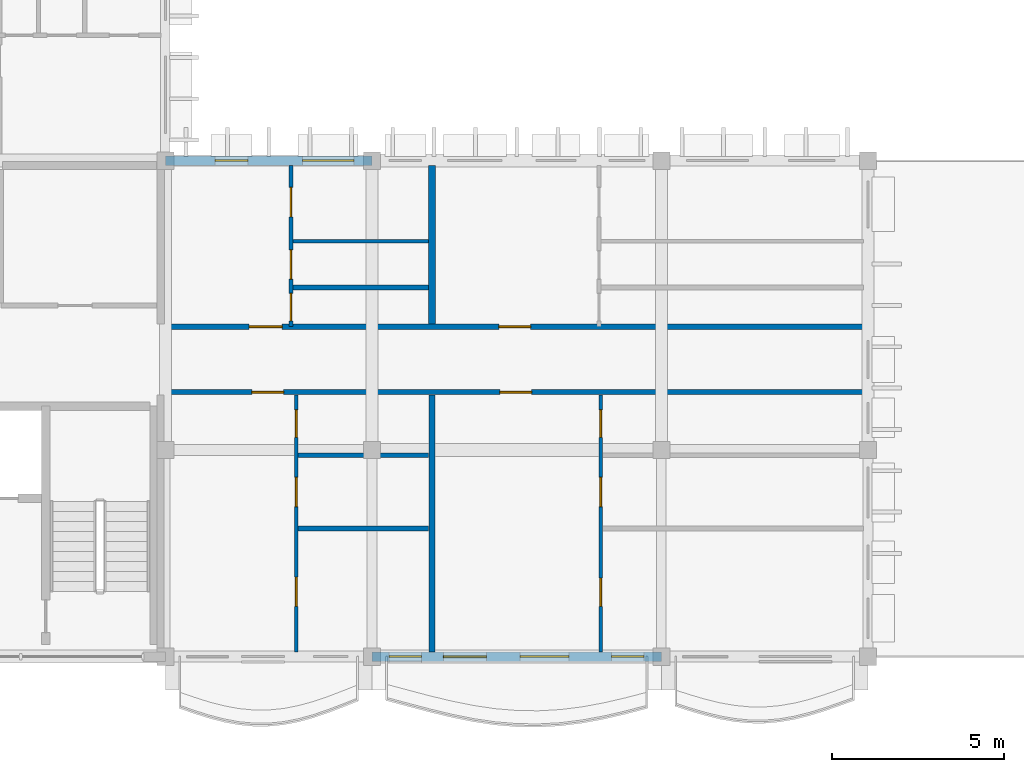
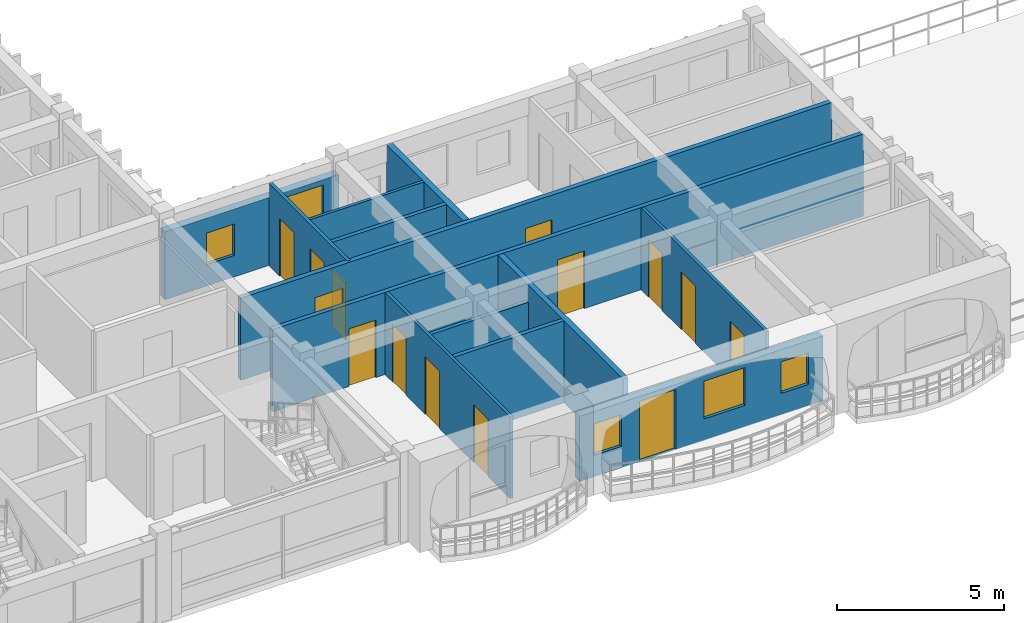
# One storey, part 13 of 59: 14 doors, 13 walls, 5 windows, 19 openings.
"""IFC4 building model written with IfcOpenShell, lengths in metres."""

from ifc_helpers import new_model, si_unit, direction, frame, frame_2d, origin, place, context, subcontext, project, spatial, rectangle, extrude, material, layer, layer_set, type_object, element, fill, save


model = new_model("IFC4")

# Units and contexts
model_context = context("Model", 3, precision=1e-05, world=origin(), true_north=direction((0.0, 1.0)))
body_context = subcontext(model_context, "Body", "Model", "MODEL_VIEW")
ifc_project = project(units=[si_unit("LENGTHUNIT", "METRE"), si_unit("AREAUNIT", "SQUARE_METRE"), si_unit("VOLUMEUNIT", "CUBIC_METRE"), si_unit("PLANEANGLEUNIT", "RADIAN"), si_unit("MASSUNIT", "GRAM", prefix="KILO"), si_unit("THERMODYNAMICTEMPERATUREUNIT", "KELVIN")], contexts=[model_context])

# Site, building, storey
site_placement = place(None, origin())
site = spatial("IfcSite", under=ifc_project, at=site_placement, CompositionType="ELEMENT")
building_placement = place(site_placement, origin())
building = spatial("IfcBuilding", under=site, at=building_placement, Name="Thalorik Housing Commons", CompositionType="ELEMENT")
storey_placement = place(building_placement, frame((0.0, 0.0, 27.89990234375)))
storey = spatial("IfcBuildingStorey", under=building, at=storey_placement, Name="L08", CompositionType="ELEMENT", Elevation=27.89990234375)

# Wall, openings, doors
ifc_material_1 = material(Name="Masonry fire-rated corridor wall", Category="masonry")
ifc_layer_1 = layer(ifc_material_1, 0.14990234375, Name="Masonry fire-rated corridor wall", Category="masonry")
ifc_layer_set_1 = layer_set([ifc_layer_1], Name="Masonry fire-rated corridor wall")
wall_type_1 = type_object("IfcWallType", Name="ARC-WAL-CORR-150", PredefinedType="PARTITIONING", material=ifc_layer_set_1)
wall_1_placement = place(storey_placement, frame((22.659912109375, 16.080078125, 0.0), z_axis=(0.0, 0.0, 1.0), x_axis=(1.0, 0.0, 0.0)))
wall_1 = element("IfcWall", 1, at=wall_1_placement, inside=storey, type_object=wall_type_1, Name="L08 Block C S Corridor Wall 1", PredefinedType="PARTITIONING", context=body_context, shape_type="SweptSolid", body=[
    extrude(rectangle(XDim=20.405517578125, YDim=0.14990234375, at=frame_2d((10.20263671875, 0.0))), origin(), (0.0, 0.0, 1.0), 3.0),
])
opening_1_placement = place(wall_1_placement, frame((2.652587890625, 0.0, 0.0)))
opening_1 = element("IfcOpeningElement", 2, at=opening_1_placement, cuts=wall_1, Name="Opening ID-1918", PredefinedType="OPENING", context=body_context, shape_type="SweptSolid", body=[
    extrude(rectangle(XDim=0.919921875, YDim=2.10009765625, at=frame_2d((0.4599609375, 1.050048828125))), frame((0.0, 0.0849609375, 0.0), z_axis=(0.0, -1.0, 0.0), x_axis=(1.0, 0.0, 0.0)), (0.0, 0.0, 1.0), 0.169921875),
])
opening_2_placement = place(wall_1_placement, frame((9.85009765625, 0.0, 0.0)))
opening_2 = element("IfcOpeningElement", 3, at=opening_2_placement, cuts=wall_1, Name="Opening ID-1919", PredefinedType="OPENING", context=body_context, shape_type="SweptSolid", body=[
    extrude(rectangle(XDim=0.919921875, YDim=2.10009765625, at=frame_2d((0.4599609375, 1.050048828125))), frame((0.0, 0.0849609375, 0.0), z_axis=(0.0, -1.0, 0.0), x_axis=(1.0, 0.0, 0.0)), (0.0, 0.0, 1.0), 0.169921875),
])
ifc_material_2 = material(Name="Solid core hardwood timber", Category="wood")
door_type_1 = type_object("IfcDoorType", Name="ARC-DR-FD30-920", OperationType="NOTDEFINED", PredefinedType="DOOR", material=ifc_material_2)
door_1_placement = place(opening_1_placement, origin())
door_1 = element("IfcDoor", 4, at=door_1_placement, inside=storey, type_object=door_type_1, Name="L08 Flat CS-1A Entrance Door", OperationType="SINGLE_SWING_LEFT", OverallHeight=2.10009765625, OverallWidth=0.919921875, PredefinedType="DOOR", context=body_context, shape_type="SweptSolid", body=[
    extrude(rectangle(XDim=0.919921875, YDim=2.10009765625, at=frame_2d((0.4599609375, 1.050048828125))), frame((0.0, 0.02490234375, 0.0), z_axis=(0.0, -1.0, 0.0), x_axis=(1.0, 0.0, 0.0)), (0.0, 0.0, 1.0), 0.050048828125),
])
fill(opening_1, door_1)
door_2_placement = place(opening_2_placement, origin())
door_2 = element("IfcDoor", 5, at=door_2_placement, inside=storey, type_object=door_type_1, Name="L08 Flat CS-2A Entrance Door", OperationType="SINGLE_SWING_RIGHT", OverallHeight=2.10009765625, OverallWidth=0.919921875, PredefinedType="DOOR", context=body_context, shape_type="SweptSolid", body=[
    extrude(rectangle(XDim=0.919921875, YDim=2.10009765625, at=frame_2d((0.4599609375, 1.050048828125))), frame((0.0, 0.02490234375, 0.0), z_axis=(0.0, -1.0, 0.0), x_axis=(1.0, 0.0, 0.0)), (0.0, 0.0, 1.0), 0.050048828125),
])
fill(opening_2, door_2)

ifc_layer_2 = layer(ifc_material_1, 0.1650390625, Name="Masonry fire-rated corridor wall", Category="masonry")
ifc_layer_set_2 = layer_set([ifc_layer_2], Name="Masonry fire-rated corridor wall")
wall_type_2 = type_object("IfcWallType", Name="ARC-WAL-CORR-165", PredefinedType="PARTITIONING", material=ifc_layer_set_2)
wall_2_placement = place(storey_placement, frame((22.659912109375, 17.97998046875, 0.0), z_axis=(0.0, 0.0, 1.0), x_axis=(1.0, 0.0, 0.0)))
wall_2 = element("IfcWall", 6, at=wall_2_placement, inside=storey, type_object=wall_type_2, Name="L08 Block C S Corridor Wall 2", PredefinedType="PARTITIONING", context=body_context, shape_type="SweptSolid", body=[
    extrude(rectangle(XDim=20.405517578125, YDim=0.1650390625, at=frame_2d((10.20263671875, 0.0))), origin(), (0.0, 0.0, 1.0), 3.0),
])
opening_3_placement = place(wall_2_placement, frame((2.572509765625, 0.0, 0.0)))
opening_3 = element("IfcOpeningElement", 7, at=opening_3_placement, cuts=wall_2, Name="Opening ID-1920", PredefinedType="OPENING", context=body_context, shape_type="SweptSolid", body=[
    extrude(rectangle(XDim=0.9599609375, YDim=2.1201171875, at=frame_2d((0.47998046875, 1.06005859375))), frame((0.0, 0.092529296875, 0.0), z_axis=(0.0, -1.0, 0.0), x_axis=(1.0, 0.0, 0.0)), (0.0, 0.0, 1.0), 0.18505859375),
])
opening_4_placement = place(wall_2_placement, frame((9.823974609375, 0.0, 0.0)))
opening_4 = element("IfcOpeningElement", 8, at=opening_4_placement, cuts=wall_2, Name="Opening ID-1921", PredefinedType="OPENING", context=body_context, shape_type="SweptSolid", body=[
    extrude(rectangle(XDim=0.919921875, YDim=2.10009765625, at=frame_2d((0.4599609375, 1.050048828125))), frame((0.0, 0.092529296875, 0.0), z_axis=(0.0, -1.0, 0.0), x_axis=(1.0, 0.0, 0.0)), (0.0, 0.0, 1.0), 0.18505859375),
])
door_3_placement = place(opening_4_placement, origin())
door_3 = element("IfcDoor", 9, at=door_3_placement, inside=storey, type_object=door_type_1, Name="L08 Flat CS-2B Entrance Door", OperationType="SINGLE_SWING_RIGHT", OverallHeight=2.10009765625, OverallWidth=0.919921875, PredefinedType="DOOR", context=body_context, shape_type="SweptSolid", body=[
    extrude(rectangle(XDim=0.919921875, YDim=2.10009765625, at=frame_2d((0.4599609375, 1.050048828125))), frame((0.0, 0.02490234375, 0.0), z_axis=(0.0, -1.0, 0.0), x_axis=(1.0, 0.0, 0.0)), (0.0, 0.0, 1.0), 0.050048828125),
])
fill(opening_4, door_3)
door_type_2 = type_object("IfcDoorType", Name="ARC-DR-FD30-960", OperationType="NOTDEFINED", PredefinedType="DOOR", material=ifc_material_2)
door_4_placement = place(opening_3_placement, origin())
door_4 = element("IfcDoor", 10, at=door_4_placement, inside=storey, type_object=door_type_2, Name="L08 Flat CS-1B Entrance Door", OperationType="SINGLE_SWING_LEFT", OverallHeight=2.1201171875, OverallWidth=0.9599609375, PredefinedType="DOOR", context=body_context, shape_type="SweptSolid", body=[
    extrude(rectangle(XDim=0.9599609375, YDim=2.1201171875, at=frame_2d((0.47998046875, 1.06005859375))), frame((0.0, 0.02490234375, 0.0), z_axis=(0.0, -1.0, 0.0), x_axis=(1.0, 0.0, 0.0)), (0.0, 0.0, 1.0), 0.050048828125),
])
fill(opening_3, door_4)

# Wall, openings, door, windows
ifc_material_3 = material(Name="White precast concrete C40/50", Category="concrete")
ifc_layer_3 = layer(ifc_material_3, 0.264892578125, Name="White precast concrete C40/50", Category="concrete")
ifc_layer_set_3 = layer_set([ifc_layer_3], Name="White precast concrete C40/50")
wall_type_3 = type_object("IfcWallType", Name="ARC-WAL-EXT-265", PredefinedType="STANDARD", material=ifc_layer_set_3)
wall_3_placement = place(storey_placement, frame((28.800048828125, 8.39990234375, 0.0), z_axis=(0.0, 0.0, 1.0), x_axis=(1.0, 0.0, 0.0)))
wall_3 = element("IfcWall", 11, at=wall_3_placement, inside=storey, type_object=wall_type_3, Name="L08 Exterior Wall WAL-EXT-L08-C-1058", PredefinedType="STANDARD", context=body_context, shape_type="SweptSolid", body=[
    extrude(rectangle(XDim=8.39990234375, YDim=0.264892578125, at=frame_2d((4.199951171875, 0.0))), origin(), (0.0, 0.0, 1.0), 2.375),
])
opening_5_placement = place(wall_3_placement, frame((2.070068359375, 0.0, 0.0)))
opening_5 = element("IfcOpeningElement", 12, at=opening_5_placement, cuts=wall_3, Name="Opening ED-0354", PredefinedType="OPENING", context=body_context, shape_type="SweptSolid", body=[
    extrude(rectangle(XDim=1.25, YDim=2.199951171875, at=frame_2d((0.625, 1.10009765625))), frame((0.0, 0.142578125, 0.0), z_axis=(0.0, -1.0, 0.0), x_axis=(1.0, 0.0, 0.0)), (0.0, 0.0, 1.0), 0.284912109375),
])
opening_6_placement = place(wall_3_placement, frame((0.489990234375, 0.0, 0.780029296875)))
opening_6 = element("IfcOpeningElement", 13, at=opening_6_placement, cuts=wall_3, Name="Opening W-43", PredefinedType="OPENING", context=body_context, shape_type="SweptSolid", body=[
    extrude(rectangle(XDim=0.949951171875, YDim=1.14990234375, at=frame_2d((0.47509765625, 0.574951171875))), frame((0.0, 0.142578125, 0.0), z_axis=(0.0, -1.0, 0.0), x_axis=(1.0, 0.0, 0.0)), (0.0, 0.0, 1.0), 0.284912109375),
])
opening_7_placement = place(wall_3_placement, frame((4.294921875, 0.0, 0.780029296875)))
opening_7 = element("IfcOpeningElement", 14, at=opening_7_placement, cuts=wall_3, Name="Opening W-50", PredefinedType="OPENING", context=body_context, shape_type="SweptSolid", body=[
    extrude(rectangle(XDim=1.419921875, YDim=1.3798828125, at=frame_2d((0.7099609375, 0.68994140625))), frame((0.0, 0.142578125, 0.0), z_axis=(0.0, -1.0, 0.0), x_axis=(1.0, 0.0, 0.0)), (0.0, 0.0, 1.0), 0.284912109375),
])
opening_8_placement = place(wall_3_placement, frame((6.949951171875, 0.0, 0.780029296875)))
opening_8 = element("IfcOpeningElement", 15, at=opening_8_placement, cuts=wall_3, Name="Opening W-43", PredefinedType="OPENING", context=body_context, shape_type="SweptSolid", body=[
    extrude(rectangle(XDim=0.949951171875, YDim=1.14990234375, at=frame_2d((0.47509765625, 0.574951171875))), frame((0.0, 0.142578125, 0.0), z_axis=(0.0, -1.0, 0.0), x_axis=(1.0, 0.0, 0.0)), (0.0, 0.0, 1.0), 0.284912109375),
])
ifc_material_4 = material(Name="Anodised aluminium and laminated safety glass", Category="aluminium")
door_type_3 = type_object("IfcDoorType", Name="ARC-DR-BAL-1250", OperationType="NOTDEFINED", PredefinedType="DOOR", material=ifc_material_4)
door_5_placement = place(opening_5_placement, frame((1.25, 0.0, 0.0), z_axis=(0.0, 0.0, 1.0), x_axis=(-1.0, 0.0, 0.0)))
door_5 = element("IfcDoor", 16, at=door_5_placement, inside=storey, type_object=door_type_3, Name="L08 Block C Balcony Glazed Door", OperationType="SINGLE_SWING_LEFT", OverallHeight=2.199951171875, OverallWidth=1.25, PredefinedType="DOOR", context=body_context, shape_type="SweptSolid", body=[
    extrude(rectangle(XDim=1.25, YDim=2.199951171875, at=frame_2d((0.625, 1.10009765625))), frame((0.0, 0.02490234375, 0.0), z_axis=(0.0, -1.0, 0.0), x_axis=(1.0, 0.0, 0.0)), (0.0, 0.0, 1.0), 0.050048828125),
])
fill(opening_5, door_5)
ifc_material_5 = material(Name="Anodised aluminium and solar-control low-E glass", Category="aluminium")
window_type_1 = type_object("IfcWindowType", Name="ARC-WIN-43", PartitioningType="SINGLE_PANEL", PredefinedType="WINDOW", material=ifc_material_5)
window_1_placement = place(opening_6_placement, origin())
window_1 = element("IfcWindow", 17, at=window_1_placement, inside=storey, type_object=window_type_1, Name="L08 Facade Window 1952", OverallHeight=1.14990234375, OverallWidth=0.949951171875, PartitioningType="SINGLE_PANEL", PredefinedType="WINDOW", context=body_context, shape_type="SweptSolid", body=[
    extrude(rectangle(XDim=0.949951171875, YDim=1.14990234375, at=frame_2d((0.47509765625, 0.574951171875))), frame((0.0, 0.030029296875, 0.0), z_axis=(0.0, -1.0, 0.0), x_axis=(1.0, 0.0, 0.0)), (0.0, 0.0, 1.0), 0.06005859375),
])
fill(opening_6, window_1)
window_2_placement = place(opening_8_placement, origin())
window_2 = element("IfcWindow", 18, at=window_2_placement, inside=storey, type_object=window_type_1, Name="L08 Facade Window 1954", OverallHeight=1.14990234375, OverallWidth=0.949951171875, PartitioningType="SINGLE_PANEL", PredefinedType="WINDOW", context=body_context, shape_type="SweptSolid", body=[
    extrude(rectangle(XDim=0.949951171875, YDim=1.14990234375, at=frame_2d((0.47509765625, 0.574951171875))), frame((0.0, 0.030029296875, 0.0), z_axis=(0.0, -1.0, 0.0), x_axis=(1.0, 0.0, 0.0)), (0.0, 0.0, 1.0), 0.06005859375),
])
fill(opening_8, window_2)
window_type_2 = type_object("IfcWindowType", Name="ARC-WIN-50", PartitioningType="SINGLE_PANEL", PredefinedType="WINDOW", material=ifc_material_5)
window_3_placement = place(opening_7_placement, origin())
window_3 = element("IfcWindow", 19, at=window_3_placement, inside=storey, type_object=window_type_2, Name="L08 Facade Window 1953", OverallHeight=1.3798828125, OverallWidth=1.419921875, PartitioningType="SINGLE_PANEL", PredefinedType="WINDOW", context=body_context, shape_type="SweptSolid", body=[
    extrude(rectangle(XDim=1.419921875, YDim=1.3798828125, at=frame_2d((0.7099609375, 0.68994140625))), frame((0.0, 0.030029296875, 0.0), z_axis=(0.0, -1.0, 0.0), x_axis=(1.0, 0.0, 0.0)), (0.0, 0.0, 1.0), 0.06005859375),
])
fill(opening_7, window_3)

# Wall, openings, windows
wall_4_placement = place(storey_placement, frame((28.800048828125, 22.800048828125, 0.0), z_axis=(0.0, 0.0, 1.0), x_axis=(-1.0, 0.0, 0.0)))
wall_4 = element("IfcWall", 20, at=wall_4_placement, inside=storey, type_object=wall_type_3, Name="L08 Exterior Wall WAL-EXT-L08-C-1064", PredefinedType="STANDARD", context=body_context, shape_type="SweptSolid", body=[
    extrude(rectangle(XDim=6.0, YDim=0.264892578125, at=frame_2d((3.0, 0.0))), origin(), (0.0, 0.0, 1.0), 2.47509765625),
])
opening_9_placement = place(wall_4_placement, frame((0.523681640625, 0.0, 0.780029296875)))
opening_9 = element("IfcOpeningElement", 21, at=opening_9_placement, cuts=wall_4, Name="Opening W-10", PredefinedType="OPENING", context=body_context, shape_type="SweptSolid", body=[
    extrude(rectangle(XDim=1.5, YDim=1.5, at=frame_2d((0.75, 0.75))), frame((0.0, 0.142578125, 0.0), z_axis=(0.0, -1.0, 0.0), x_axis=(1.0, 0.0, 0.0)), (0.0, 0.0, 1.0), 0.284912109375),
])
opening_10_placement = place(wall_4_placement, frame((3.60888671875, 0.0, 0.780029296875)))
opening_10 = element("IfcOpeningElement", 22, at=opening_10_placement, cuts=wall_4, Name="Opening W-43", PredefinedType="OPENING", context=body_context, shape_type="SweptSolid", body=[
    extrude(rectangle(XDim=0.949951171875, YDim=1.14990234375, at=frame_2d((0.47509765625, 0.574951171875))), frame((0.0, 0.142578125, 0.0), z_axis=(0.0, -1.0, 0.0), x_axis=(1.0, 0.0, 0.0)), (0.0, 0.0, 1.0), 0.284912109375),
])
window_type_3 = type_object("IfcWindowType", Name="ARC-WIN-10", PartitioningType="SINGLE_PANEL", PredefinedType="WINDOW", material=ifc_material_5)
window_4_placement = place(opening_9_placement, origin())
window_4 = element("IfcWindow", 23, at=window_4_placement, inside=storey, type_object=window_type_3, Name="L08 Facade Window 1966", OverallHeight=1.5, OverallWidth=1.5, PartitioningType="SINGLE_PANEL", PredefinedType="WINDOW", context=body_context, shape_type="SweptSolid", body=[
    extrude(rectangle(XDim=1.5, YDim=1.5, at=frame_2d((0.75, 0.75))), frame((0.0, 0.030029296875, 0.0), z_axis=(0.0, -1.0, 0.0), x_axis=(1.0, 0.0, 0.0)), (0.0, 0.0, 1.0), 0.06005859375),
])
fill(opening_9, window_4)
window_5_placement = place(opening_10_placement, origin())
window_5 = element("IfcWindow", 24, at=window_5_placement, inside=storey, type_object=window_type_1, Name="L08 Facade Window 1967", OverallHeight=1.14990234375, OverallWidth=0.949951171875, PartitioningType="SINGLE_PANEL", PredefinedType="WINDOW", context=body_context, shape_type="SweptSolid", body=[
    extrude(rectangle(XDim=0.949951171875, YDim=1.14990234375, at=frame_2d((0.47509765625, 0.574951171875))), frame((0.0, 0.030029296875, 0.0), z_axis=(0.0, -1.0, 0.0), x_axis=(1.0, 0.0, 0.0)), (0.0, 0.0, 1.0), 0.06005859375),
])
fill(opening_10, window_5)

# Wall, openings, doors
ifc_material_6 = material(Name="Gypsum light stud partition", Category="masonry")
ifc_layer_4 = layer(ifc_material_6, 0.10009765625, Name="Gypsum light stud partition", Category="masonry")
ifc_layer_set_4 = layer_set([ifc_layer_4], Name="Gypsum light stud partition")
wall_type_4 = type_object("IfcWallType", Name="ARC-WAL-PART-100", PredefinedType="PARTITIONING", material=ifc_layer_set_4)
wall_5_placement = place(storey_placement, frame((26.60009765625, 8.534423828125, 0.0), z_axis=(0.0, 0.0, 1.0), x_axis=(0.0, 1.0, 0.0)))
wall_5 = element("IfcWall", 25, at=wall_5_placement, inside=storey, type_object=wall_type_4, Name="L08 Unit 1 Spine Partition", PredefinedType="PARTITIONING", context=body_context, shape_type="SweptSolid", body=[
    extrude(rectangle(XDim=7.468505859375, YDim=0.10009765625, at=frame_2d((3.734375, 0.0))), origin(), (0.0, 0.0, 1.0), 3.0),
])
opening_11_placement = place(wall_5_placement, frame((1.329345703125, 0.0, 0.0)))
opening_11 = element("IfcOpeningElement", 26, at=opening_11_placement, cuts=wall_5, Name="Opening ID-1906", PredefinedType="OPENING", context=body_context, shape_type="SweptSolid", body=[
    extrude(rectangle(XDim=0.85009765625, YDim=2.10009765625, at=frame_2d((0.425048828125, 1.050048828125))), frame((0.0, 0.06005859375, 0.0), z_axis=(0.0, -1.0, 0.0), x_axis=(1.0, 0.0, 0.0)), (0.0, 0.0, 1.0), 0.1201171875),
])
opening_12_placement = place(wall_5_placement, frame((4.224853515625, 0.0, 0.0)))
opening_12 = element("IfcOpeningElement", 27, at=opening_12_placement, cuts=wall_5, Name="Opening ID-1907", PredefinedType="OPENING", context=body_context, shape_type="SweptSolid", body=[
    extrude(rectangle(XDim=0.85009765625, YDim=2.10009765625, at=frame_2d((0.425048828125, 1.050048828125))), frame((0.0, 0.06005859375, 0.0), z_axis=(0.0, -1.0, 0.0), x_axis=(1.0, 0.0, 0.0)), (0.0, 0.0, 1.0), 0.1201171875),
])
opening_13_placement = place(wall_5_placement, frame((6.231201171875, 0.0, 0.0)))
opening_13 = element("IfcOpeningElement", 28, at=opening_13_placement, cuts=wall_5, Name="Opening ID-1908", PredefinedType="OPENING", context=body_context, shape_type="SweptSolid", body=[
    extrude(rectangle(XDim=0.800048828125, YDim=2.10009765625, at=frame_2d((0.39990234375, 1.050048828125))), frame((0.0, 0.06005859375, 0.0), z_axis=(0.0, -1.0, 0.0), x_axis=(1.0, 0.0, 0.0)), (0.0, 0.0, 1.0), 0.1201171875),
])
ifc_material_7 = material(Name="Moisture-resistant timber", Category="wood")
door_type_4 = type_object("IfcDoorType", Name="ARC-DR-INT-800", OperationType="NOTDEFINED", PredefinedType="DOOR", material=ifc_material_7)
door_6_placement = place(opening_13_placement, origin())
door_6 = element("IfcDoor", 29, at=door_6_placement, inside=storey, type_object=door_type_4, Name="L08 Flat Bathroom Door", OperationType="SINGLE_SWING_LEFT", OverallHeight=2.10009765625, OverallWidth=0.800048828125, PredefinedType="DOOR", context=body_context, shape_type="SweptSolid", body=[
    extrude(rectangle(XDim=0.800048828125, YDim=2.10009765625, at=frame_2d((0.39990234375, 1.050048828125))), frame((0.0, 0.02490234375, 0.0), z_axis=(0.0, -1.0, 0.0), x_axis=(1.0, 0.0, 0.0)), (0.0, 0.0, 1.0), 0.050048828125),
])
fill(opening_13, door_6)
ifc_material_8 = material(Name="Engineered oak timber", Category="wood")
door_type_5 = type_object("IfcDoorType", Name="ARC-DR-INT-850", OperationType="NOTDEFINED", PredefinedType="DOOR", material=ifc_material_8)
door_7_placement = place(opening_11_placement, origin())
door_7 = element("IfcDoor", 30, at=door_7_placement, inside=storey, type_object=door_type_5, Name="L08 Double Bedroom Door", OperationType="SINGLE_SWING_LEFT", OverallHeight=2.10009765625, OverallWidth=0.85009765625, PredefinedType="DOOR", context=body_context, shape_type="SweptSolid", body=[
    extrude(rectangle(XDim=0.85009765625, YDim=2.10009765625, at=frame_2d((0.425048828125, 1.050048828125))), frame((0.0, 0.02490234375, 0.0), z_axis=(0.0, -1.0, 0.0), x_axis=(1.0, 0.0, 0.0)), (0.0, 0.0, 1.0), 0.050048828125),
])
fill(opening_11, door_7)
door_8_placement = place(opening_12_placement, origin())
door_8 = element("IfcDoor", 31, at=door_8_placement, inside=storey, type_object=door_type_5, Name="L08 Galley Kitchen Door", OperationType="SINGLE_SWING_RIGHT", OverallHeight=2.10009765625, OverallWidth=0.85009765625, PredefinedType="DOOR", context=body_context, shape_type="SweptSolid", body=[
    extrude(rectangle(XDim=0.85009765625, YDim=2.10009765625, at=frame_2d((0.425048828125, 1.050048828125))), frame((0.0, 0.02490234375, 0.0), z_axis=(0.0, -1.0, 0.0), x_axis=(1.0, 0.0, 0.0)), (0.0, 0.0, 1.0), 0.050048828125),
])
fill(opening_12, door_8)

# Wall
wall_6_placement = place(storey_placement, frame((26.501953125, 20.455078125, 0.0), z_axis=(0.0, 0.0, 1.0), x_axis=(1.0, 0.0, 0.0)))
element("IfcWall", 32, at=wall_6_placement, inside=storey, type_object=wall_type_4, Name="L08 Unit 1B Bedroom Partition", PredefinedType="PARTITIONING", context=body_context, shape_type="SweptSolid", body=[
    extrude(rectangle(XDim=3.93603515625, YDim=0.10009765625, at=frame_2d((1.968017578125, 0.0))), origin(), (0.0, 0.0, 1.0), 3.0),
])

# Wall, openings, doors
wall_7_placement = place(storey_placement, frame((35.43994140625, 8.534423828125, 0.0), z_axis=(0.0, 0.0, 1.0), x_axis=(0.0, 1.0, 0.0)))
wall_7 = element("IfcWall", 33, at=wall_7_placement, inside=storey, type_object=wall_type_4, Name="L08 Unit 2 Spine Partition", PredefinedType="PARTITIONING", context=body_context, shape_type="SweptSolid", body=[
    extrude(rectangle(XDim=7.468505859375, YDim=0.10009765625, at=frame_2d((3.734375, 0.0))), origin(), (0.0, 0.0, 1.0), 3.0),
])
opening_14_placement = place(wall_7_placement, frame((1.329345703125, 0.0, 0.0)))
opening_14 = element("IfcOpeningElement", 34, at=opening_14_placement, cuts=wall_7, Name="Opening ID-1912", PredefinedType="OPENING", context=body_context, shape_type="SweptSolid", body=[
    extrude(rectangle(XDim=0.820068359375, YDim=2.080078125, at=frame_2d((0.41015625, 1.0400390625))), frame((0.0, 0.06005859375, 0.0), z_axis=(0.0, -1.0, 0.0), x_axis=(1.0, 0.0, 0.0)), (0.0, 0.0, 1.0), 0.1201171875),
])
opening_15_placement = place(wall_7_placement, frame((4.224853515625, 0.0, 0.0)))
opening_15 = element("IfcOpeningElement", 35, at=opening_15_placement, cuts=wall_7, Name="Opening ID-1913", PredefinedType="OPENING", context=body_context, shape_type="SweptSolid", body=[
    extrude(rectangle(XDim=0.85009765625, YDim=2.10009765625, at=frame_2d((0.425048828125, 1.050048828125))), frame((0.0, 0.06005859375, 0.0), z_axis=(0.0, -1.0, 0.0), x_axis=(1.0, 0.0, 0.0)), (0.0, 0.0, 1.0), 0.1201171875),
])
opening_16_placement = place(wall_7_placement, frame((6.231201171875, 0.0, 0.0)))
opening_16 = element("IfcOpeningElement", 36, at=opening_16_placement, cuts=wall_7, Name="Opening ID-1914", PredefinedType="OPENING", context=body_context, shape_type="SweptSolid", body=[
    extrude(rectangle(XDim=0.800048828125, YDim=2.10009765625, at=frame_2d((0.39990234375, 1.050048828125))), frame((0.0, 0.06005859375, 0.0), z_axis=(0.0, -1.0, 0.0), x_axis=(1.0, 0.0, 0.0)), (0.0, 0.0, 1.0), 0.1201171875),
])
door_9_placement = place(opening_16_placement, origin())
door_9 = element("IfcDoor", 37, at=door_9_placement, inside=storey, type_object=door_type_4, Name="L08 Accessible Bathroom Door", OperationType="SINGLE_SWING_LEFT", OverallHeight=2.10009765625, OverallWidth=0.800048828125, PredefinedType="DOOR", context=body_context, shape_type="SweptSolid", body=[
    extrude(rectangle(XDim=0.800048828125, YDim=2.10009765625, at=frame_2d((0.39990234375, 1.050048828125))), frame((0.0, 0.02490234375, 0.0), z_axis=(0.0, -1.0, 0.0), x_axis=(1.0, 0.0, 0.0)), (0.0, 0.0, 1.0), 0.050048828125),
])
fill(opening_16, door_9)
door_type_6 = type_object("IfcDoorType", Name="ARC-DR-INT-820", OperationType="NOTDEFINED", PredefinedType="DOOR", material=ifc_material_8)
door_10_placement = place(opening_14_placement, origin())
door_10 = element("IfcDoor", 38, at=door_10_placement, inside=storey, type_object=door_type_6, Name="L08 Double Bedroom Door", OperationType="SINGLE_SWING_LEFT", OverallHeight=2.080078125, OverallWidth=0.820068359375, PredefinedType="DOOR", context=body_context, shape_type="SweptSolid", body=[
    extrude(rectangle(XDim=0.820068359375, YDim=2.080078125, at=frame_2d((0.41015625, 1.0400390625))), frame((0.0, 0.02490234375, 0.0), z_axis=(0.0, -1.0, 0.0), x_axis=(1.0, 0.0, 0.0)), (0.0, 0.0, 1.0), 0.050048828125),
])
fill(opening_14, door_10)
door_11_placement = place(opening_15_placement, origin())
door_11 = element("IfcDoor", 39, at=door_11_placement, inside=storey, type_object=door_type_5, Name="L08 Galley Kitchen Door", OperationType="SINGLE_SWING_RIGHT", OverallHeight=2.10009765625, OverallWidth=0.85009765625, PredefinedType="DOOR", context=body_context, shape_type="SweptSolid", body=[
    extrude(rectangle(XDim=0.85009765625, YDim=2.10009765625, at=frame_2d((0.425048828125, 1.050048828125))), frame((0.0, 0.02490234375, 0.0), z_axis=(0.0, -1.0, 0.0), x_axis=(1.0, 0.0, 0.0)), (0.0, 0.0, 1.0), 0.050048828125),
])
fill(opening_15, door_11)

ifc_material_9 = material(Name="Gypsum moisture-resistant partition", Category="masonry")
ifc_layer_5 = layer(ifc_material_9, 0.114990234375, Name="Gypsum moisture-resistant partition", Category="masonry")
ifc_layer_set_5 = layer_set([ifc_layer_5], Name="Gypsum moisture-resistant partition")
wall_type_5 = type_object("IfcWallType", Name="ARC-WAL-PART-115", PredefinedType="PARTITIONING", material=ifc_layer_set_5)
wall_8_placement = place(storey_placement, frame((26.4423828125, 17.97998046875, 0.0), z_axis=(0.0, 0.0, 1.0), x_axis=(0.0, 1.0, 0.0)))
wall_8 = element("IfcWall", 40, at=wall_8_placement, inside=storey, type_object=wall_type_5, Name="L08 Unit 1B Spine Partition", PredefinedType="PARTITIONING", context=body_context, shape_type="SweptSolid", body=[
    extrude(rectangle(XDim=4.685546875, YDim=0.114990234375, at=frame_2d((2.3427734375, 0.0))), origin(), (0.0, 0.0, 1.0), 3.0),
])
opening_17_placement = place(wall_8_placement, frame((0.171142578125, 0.0, 0.0)))
opening_17 = element("IfcOpeningElement", 41, at=opening_17_placement, cuts=wall_8, Name="Opening ID-1909", PredefinedType="OPENING", context=body_context, shape_type="SweptSolid", body=[
    extrude(rectangle(XDim=0.800048828125, YDim=2.10009765625, at=frame_2d((0.39990234375, 1.050048828125))), frame((0.0, 0.0673828125, 0.0), z_axis=(0.0, -1.0, 0.0), x_axis=(1.0, 0.0, 0.0)), (0.0, 0.0, 1.0), 0.135009765625),
])
opening_18_placement = place(wall_8_placement, frame((1.3837890625, 0.0, 0.0)))
opening_18 = element("IfcOpeningElement", 42, at=opening_18_placement, cuts=wall_8, Name="Opening ID-1910", PredefinedType="OPENING", context=body_context, shape_type="SweptSolid", body=[
    extrude(rectangle(XDim=0.85009765625, YDim=2.10009765625, at=frame_2d((0.425048828125, 1.050048828125))), frame((0.0, 0.0673828125, 0.0), z_axis=(0.0, -1.0, 0.0), x_axis=(1.0, 0.0, 0.0)), (0.0, 0.0, 1.0), 0.135009765625),
])
opening_19_placement = place(wall_8_placement, frame((3.192626953125, 0.0, 0.0)))
opening_19 = element("IfcOpeningElement", 43, at=opening_19_placement, cuts=wall_8, Name="Opening ID-1911", PredefinedType="OPENING", context=body_context, shape_type="SweptSolid", body=[
    extrude(rectangle(XDim=0.85009765625, YDim=2.10009765625, at=frame_2d((0.425048828125, 1.050048828125))), frame((0.0, 0.0673828125, 0.0), z_axis=(0.0, -1.0, 0.0), x_axis=(1.0, 0.0, 0.0)), (0.0, 0.0, 1.0), 0.135009765625),
])
door_12_placement = place(opening_17_placement, origin())
door_12 = element("IfcDoor", 44, at=door_12_placement, inside=storey, type_object=door_type_4, Name="L08 Flat Bathroom Door", OperationType="SINGLE_SWING_RIGHT", OverallHeight=2.10009765625, OverallWidth=0.800048828125, PredefinedType="DOOR", context=body_context, shape_type="SweptSolid", body=[
    extrude(rectangle(XDim=0.800048828125, YDim=2.10009765625, at=frame_2d((0.39990234375, 1.050048828125))), frame((0.0, 0.02490234375, 0.0), z_axis=(0.0, -1.0, 0.0), x_axis=(1.0, 0.0, 0.0)), (0.0, 0.0, 1.0), 0.050048828125),
])
fill(opening_17, door_12)
door_13_placement = place(opening_18_placement, origin())
door_13 = element("IfcDoor", 45, at=door_13_placement, inside=storey, type_object=door_type_5, Name="L08 Eat-In Kitchen Door", OperationType="SINGLE_SWING_LEFT", OverallHeight=2.10009765625, OverallWidth=0.85009765625, PredefinedType="DOOR", context=body_context, shape_type="SweptSolid", body=[
    extrude(rectangle(XDim=0.85009765625, YDim=2.10009765625, at=frame_2d((0.425048828125, 1.050048828125))), frame((0.0, 0.02490234375, 0.0), z_axis=(0.0, -1.0, 0.0), x_axis=(1.0, 0.0, 0.0)), (0.0, 0.0, 1.0), 0.050048828125),
])
fill(opening_18, door_13)
door_14_placement = place(opening_19_placement, origin())
door_14 = element("IfcDoor", 46, at=door_14_placement, inside=storey, type_object=door_type_5, Name="L08 Master Bedroom Door", OperationType="SINGLE_SWING_RIGHT", OverallHeight=2.10009765625, OverallWidth=0.85009765625, PredefinedType="DOOR", context=body_context, shape_type="SweptSolid", body=[
    extrude(rectangle(XDim=0.85009765625, YDim=2.10009765625, at=frame_2d((0.425048828125, 1.050048828125))), frame((0.0, 0.02490234375, 0.0), z_axis=(0.0, -1.0, 0.0), x_axis=(1.0, 0.0, 0.0)), (0.0, 0.0, 1.0), 0.050048828125),
])
fill(opening_19, door_14)

# Walls
ifc_material_10 = material(Name="Gypsum acoustic stud partition", Category="masonry")
ifc_layer_6 = layer(ifc_material_10, 0.125, Name="Gypsum acoustic stud partition", Category="masonry")
ifc_layer_set_6 = layer_set([ifc_layer_6], Name="Gypsum acoustic stud partition")
wall_type_6 = type_object("IfcWallType", Name="ARC-WAL-PART-125", PredefinedType="PARTITIONING", material=ifc_layer_set_6)
wall_9_placement = place(storey_placement, frame((26.652099609375, 14.251220703125, 0.0), z_axis=(0.0, 0.0, 1.0), x_axis=(1.0, 0.0, 0.0)))
element("IfcWall", 47, at=wall_9_placement, inside=storey, type_object=wall_type_6, Name="L08 Unit 1 Wet Wall", PredefinedType="PARTITIONING", context=body_context, shape_type="SweptSolid", body=[
    extrude(rectangle(XDim=3.79345703125, YDim=0.125, at=frame_2d((1.896728515625, 0.0))), origin(), (0.0, 0.0, 1.0), 2.375),
])
ifc_material_11 = material(Name="Ceramic masonry partition wall", Category="masonry")
ifc_layer_7 = layer(ifc_material_11, 0.139892578125, Name="Ceramic masonry partition wall", Category="masonry")
ifc_layer_set_7 = layer_set([ifc_layer_7], Name="Ceramic masonry partition wall")
wall_type_7 = type_object("IfcWallType", Name="ARC-WAL-PART-140", PredefinedType="PARTITIONING", material=ifc_layer_set_7)
wall_10_placement = place(storey_placement, frame((26.652099609375, 12.11767578125, 0.0), z_axis=(0.0, 0.0, 1.0), x_axis=(1.0, 0.0, 0.0)))
element("IfcWall", 48, at=wall_10_placement, inside=storey, type_object=wall_type_7, Name="L08 Unit 1 Bedroom Partition", PredefinedType="PARTITIONING", context=body_context, shape_type="SweptSolid", body=[
    extrude(rectangle(XDim=3.79345703125, YDim=0.139892578125, at=frame_2d((1.896728515625, 0.0))), origin(), (0.0, 0.0, 1.0), 3.0),
])
wall_11_placement = place(storey_placement, frame((26.501953125, 19.122314453125, 0.0), z_axis=(0.0, 0.0, 1.0), x_axis=(1.0, 0.0, 0.0)))
element("IfcWall", 49, at=wall_11_placement, inside=storey, type_object=wall_type_7, Name="L08 Unit 1B Wet Wall", PredefinedType="PARTITIONING", context=body_context, shape_type="SweptSolid", body=[
    extrude(rectangle(XDim=3.93603515625, YDim=0.139892578125, at=frame_2d((1.968017578125, 0.0))), origin(), (0.0, 0.0, 1.0), 3.0),
])
ifc_material_12 = material(Name="Masonry acoustic blockwork wall", Category="masonry")
ifc_layer_8 = layer(ifc_material_12, 0.18505859375, Name="Masonry acoustic blockwork wall", Category="masonry")
ifc_layer_set_8 = layer_set([ifc_layer_8], Name="Masonry acoustic blockwork wall")
wall_type_8 = type_object("IfcWallType", Name="ARC-WAL-PARTY-185", PredefinedType="PARTITIONING", material=ifc_layer_set_8)
wall_12_placement = place(storey_placement, frame((30.5400390625, 8.534423828125, 0.0), z_axis=(0.0, 0.0, 1.0), x_axis=(0.0, 1.0, 0.0)))
element("IfcWall", 50, at=wall_12_placement, inside=storey, type_object=wall_type_8, Name="L08 Inter-Tenancy Wall 1A", PredefinedType="PARTITIONING", context=body_context, shape_type="SweptSolid", body=[
    extrude(rectangle(XDim=7.468505859375, YDim=0.18505859375, at=frame_2d((3.734375, 0.0))), origin(), (0.0, 0.0, 1.0), 3.0),
])
ifc_material_13 = material(Name="Precast concrete C40/50 acoustic wall", Category="concrete")
ifc_layer_9 = layer(ifc_material_13, 0.199951171875, Name="Precast concrete C40/50 acoustic wall", Category="concrete")
ifc_layer_set_9 = layer_set([ifc_layer_9], Name="Precast concrete C40/50 acoustic wall")
wall_type_9 = type_object("IfcWallType", Name="ARC-WAL-PARTY-200", PredefinedType="PARTITIONING", material=ifc_layer_set_9)
wall_13_placement = place(storey_placement, frame((30.5400390625, 18.064453125, 0.0), z_axis=(0.0, 0.0, 1.0), x_axis=(0.0, 1.0, 0.0)))
element("IfcWall", 51, at=wall_13_placement, inside=storey, type_object=wall_type_9, Name="L08 Inter-Tenancy Wall 1B", PredefinedType="PARTITIONING", context=body_context, shape_type="SweptSolid", body=[
    extrude(rectangle(XDim=4.60107421875, YDim=0.199951171875, at=frame_2d((2.300537109375, 0.0))), origin(), (0.0, 0.0, 1.0), 3.0),
])

save(model, "model.ifc")
